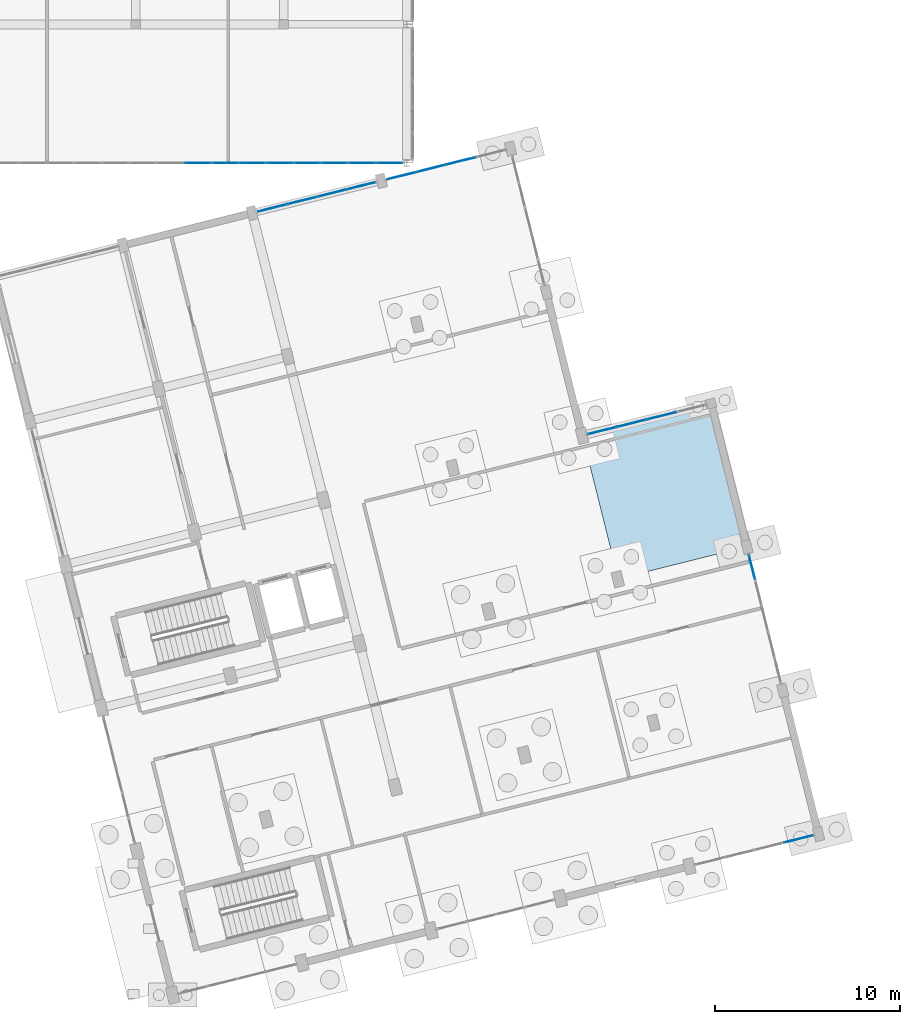
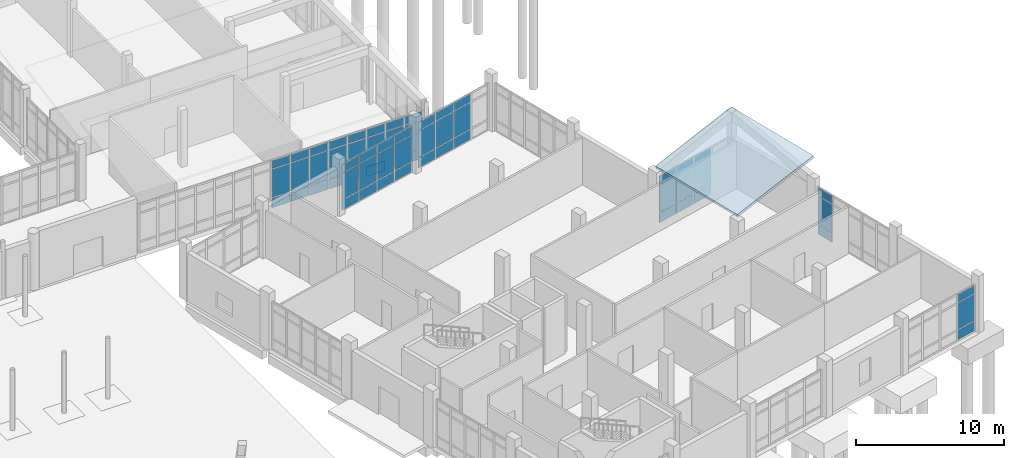
# One storey, part 142 of 173: 60 plates, 1 slab, 6 elements without a shape of their own.
"""IFC4 building model written with IfcOpenShell, lengths in metres."""

from ifc_helpers import new_model, si_unit, direction, frame, origin, origin_2d, place, context, subcontext, project, spatial, polyline, rectangle, outline, extrude, material, layer, layer_set, type_object, element, aggregate, save


model = new_model("IFC4")

# Units and contexts
model_context = context("Model", 3, precision=1e-05, world=origin(), true_north=direction((0.0, 1.0)))
body_context = subcontext(model_context, "Body", "Model", "MODEL_VIEW")
ifc_project = project(units=[si_unit("LENGTHUNIT", "METRE"), si_unit("AREAUNIT", "SQUARE_METRE"), si_unit("VOLUMEUNIT", "CUBIC_METRE"), si_unit("PLANEANGLEUNIT", "RADIAN"), si_unit("MASSUNIT", "GRAM", prefix="KILO")], contexts=[model_context])

# Site, building, storey
site_placement = place(None, origin())
site = spatial("IfcSite", under=ifc_project, at=site_placement, CompositionType="ELEMENT")
building_placement = place(site_placement, origin())
building = spatial("IfcBuilding", under=site, at=building_placement, Name="Mawjan Specialist Oncology Clinic", CompositionType="ELEMENT")
storey_placement = place(building_placement, origin())
storey = spatial("IfcBuildingStorey", under=building, at=storey_placement, Name="L00", CompositionType="ELEMENT", Elevation=0.0)

# Curtain wall, plates
ifc_material_1 = material(Name="Unitised spectrally selective aluminium curtain wall", Category="aluminium")
ifc_layer_1 = layer(ifc_material_1, 0.179931640625, Name="Unitised spectrally selective aluminium curtain wall", Category="aluminium")
ifc_layer_set_1 = layer_set([ifc_layer_1], Name="Unitised spectrally selective aluminium curtain wall")
curtain_wall_type_1 = type_object("IfcCurtainWallType", Name="CW-20", PredefinedType="NOTDEFINED", material=ifc_layer_set_1)
curtain_wall_1_placement = place(storey_placement, origin())
curtain_wall_1 = element("IfcCurtainWall", 1, at=curtain_wall_1_placement, inside=storey, type_object=curtain_wall_type_1, Name="L00 Unitised Curtain Wall CW-L00-036", PredefinedType="NOTDEFINED")
ifc_material_2 = material(Name="Spectrally selective double low-E glazing", Category="glass")
ifc_layer_2 = layer(ifc_material_2, 0.035888671875, Name="Spectrally selective double low-E glazing", Category="glass")
ifc_layer_set_2 = layer_set([ifc_layer_2], Name="Spectrally selective double low-E glazing")
plate_type = type_object("IfcPlateType", Name="CW-P36", PredefinedType="CURTAIN_PANEL", material=ifc_layer_set_2)
plate_1_placement = place(storey_placement, frame((137.7216796875, 45.800048828125, 0.06494140625), z_axis=(0.0, 0.0, 1.0), x_axis=(-1.0, 0.0, 0.0)))
plate_1 = element("IfcPlate", 2, at=plate_1_placement, type_object=plate_type, Name="CW-20 panel 1.1", PredefinedType="CURTAIN_PANEL", context=body_context, shape_type="SweptSolid", body=[
    extrude(rectangle(XDim=1.38671875, YDim=0.035888671875, at=origin_2d()), origin(), (0.0, 0.0, 1.0), 0.802490234375),
])
plate_2_placement = place(storey_placement, frame((137.7216796875, 45.800048828125, 0.932373046875), z_axis=(0.0, 0.0, 1.0), x_axis=(-1.0, 0.0, 0.0)))
plate_2 = element("IfcPlate", 3, at=plate_2_placement, type_object=plate_type, Name="CW-20 panel 1.2", PredefinedType="CURTAIN_PANEL", context=body_context, shape_type="SweptSolid", body=[
    extrude(rectangle(XDim=1.38671875, YDim=0.035888671875, at=origin_2d()), origin(), (0.0, 0.0, 1.0), 2.3046875),
])
plate_3_placement = place(storey_placement, frame((137.7216796875, 45.800048828125, 3.30224609375), z_axis=(0.0, 0.0, 1.0), x_axis=(-1.0, 0.0, 0.0)))
plate_3 = element("IfcPlate", 4, at=plate_3_placement, type_object=plate_type, Name="CW-20 panel 1.3", PredefinedType="CURTAIN_PANEL", context=body_context, shape_type="SweptSolid", body=[
    extrude(rectangle(XDim=1.38671875, YDim=0.035888671875, at=origin_2d()), origin(), (0.0, 0.0, 1.0), 0.652587890625),
])
plate_4_placement = place(storey_placement, frame((136.25341796875, 45.800048828125, 0.06494140625), z_axis=(0.0, 0.0, 1.0), x_axis=(-1.0, 0.0, 0.0)))
plate_4 = element("IfcPlate", 5, at=plate_4_placement, type_object=plate_type, Name="CW-20 panel 2.1", PredefinedType="CURTAIN_PANEL", context=body_context, shape_type="SweptSolid", body=[
    extrude(rectangle(XDim=1.41943359375, YDim=0.035888671875, at=origin_2d()), origin(), (0.0, 0.0, 1.0), 0.802490234375),
])
plate_5_placement = place(storey_placement, frame((136.25341796875, 45.800048828125, 0.932373046875), z_axis=(0.0, 0.0, 1.0), x_axis=(-1.0, 0.0, 0.0)))
plate_5 = element("IfcPlate", 6, at=plate_5_placement, type_object=plate_type, Name="CW-20 panel 2.2", PredefinedType="CURTAIN_PANEL", context=body_context, shape_type="SweptSolid", body=[
    extrude(rectangle(XDim=1.41943359375, YDim=0.035888671875, at=origin_2d()), origin(), (0.0, 0.0, 1.0), 2.3046875),
])
plate_6_placement = place(storey_placement, frame((136.25341796875, 45.800048828125, 3.30224609375), z_axis=(0.0, 0.0, 1.0), x_axis=(-1.0, 0.0, 0.0)))
plate_6 = element("IfcPlate", 7, at=plate_6_placement, type_object=plate_type, Name="CW-20 panel 2.3", PredefinedType="CURTAIN_PANEL", context=body_context, shape_type="SweptSolid", body=[
    extrude(rectangle(XDim=1.41943359375, YDim=0.035888671875, at=origin_2d()), origin(), (0.0, 0.0, 1.0), 0.652587890625),
])
plate_7_placement = place(storey_placement, frame((134.769287109375, 45.800048828125, 0.06494140625), z_axis=(0.0, 0.0, 1.0), x_axis=(-1.0, 0.0, 0.0)))
plate_7 = element("IfcPlate", 8, at=plate_7_placement, type_object=plate_type, Name="CW-20 panel 3.1", PredefinedType="CURTAIN_PANEL", context=body_context, shape_type="SweptSolid", body=[
    extrude(rectangle(XDim=1.41943359375, YDim=0.035888671875, at=origin_2d()), origin(), (0.0, 0.0, 1.0), 0.802490234375),
])
plate_8_placement = place(storey_placement, frame((134.769287109375, 45.800048828125, 0.932373046875), z_axis=(0.0, 0.0, 1.0), x_axis=(-1.0, 0.0, 0.0)))
plate_8 = element("IfcPlate", 9, at=plate_8_placement, type_object=plate_type, Name="CW-20 panel 3.2", PredefinedType="CURTAIN_PANEL", context=body_context, shape_type="SweptSolid", body=[
    extrude(rectangle(XDim=1.41943359375, YDim=0.035888671875, at=origin_2d()), origin(), (0.0, 0.0, 1.0), 2.3046875),
])
plate_9_placement = place(storey_placement, frame((134.769287109375, 45.800048828125, 3.30224609375), z_axis=(0.0, 0.0, 1.0), x_axis=(-1.0, 0.0, 0.0)))
plate_9 = element("IfcPlate", 10, at=plate_9_placement, type_object=plate_type, Name="CW-20 panel 3.3", PredefinedType="CURTAIN_PANEL", context=body_context, shape_type="SweptSolid", body=[
    extrude(rectangle(XDim=1.41943359375, YDim=0.035888671875, at=origin_2d()), origin(), (0.0, 0.0, 1.0), 0.652587890625),
])
plate_10_placement = place(storey_placement, frame((133.284912109375, 45.800048828125, 0.06494140625), z_axis=(0.0, 0.0, 1.0), x_axis=(-1.0, 0.0, 0.0)))
plate_10 = element("IfcPlate", 11, at=plate_10_placement, type_object=plate_type, Name="CW-20 panel 4.1", PredefinedType="CURTAIN_PANEL", context=body_context, shape_type="SweptSolid", body=[
    extrude(rectangle(XDim=1.41943359375, YDim=0.035888671875, at=origin_2d()), origin(), (0.0, 0.0, 1.0), 0.802490234375),
])
plate_11_placement = place(storey_placement, frame((133.284912109375, 45.800048828125, 0.932373046875), z_axis=(0.0, 0.0, 1.0), x_axis=(-1.0, 0.0, 0.0)))
plate_11 = element("IfcPlate", 12, at=plate_11_placement, type_object=plate_type, Name="CW-20 panel 4.2", PredefinedType="CURTAIN_PANEL", context=body_context, shape_type="SweptSolid", body=[
    extrude(rectangle(XDim=1.41943359375, YDim=0.035888671875, at=origin_2d()), origin(), (0.0, 0.0, 1.0), 2.3046875),
])
plate_12_placement = place(storey_placement, frame((133.284912109375, 45.800048828125, 3.30224609375), z_axis=(0.0, 0.0, 1.0), x_axis=(-1.0, 0.0, 0.0)))
plate_12 = element("IfcPlate", 13, at=plate_12_placement, type_object=plate_type, Name="CW-20 panel 4.3", PredefinedType="CURTAIN_PANEL", context=body_context, shape_type="SweptSolid", body=[
    extrude(rectangle(XDim=1.41943359375, YDim=0.035888671875, at=origin_2d()), origin(), (0.0, 0.0, 1.0), 0.652587890625),
])
plate_13_placement = place(storey_placement, frame((131.800537109375, 45.800048828125, 0.06494140625), z_axis=(0.0, 0.0, 1.0), x_axis=(-1.0, 0.0, 0.0)))
plate_13 = element("IfcPlate", 14, at=plate_13_placement, type_object=plate_type, Name="CW-20 panel 5.1", PredefinedType="CURTAIN_PANEL", context=body_context, shape_type="SweptSolid", body=[
    extrude(rectangle(XDim=1.41943359375, YDim=0.035888671875, at=origin_2d()), origin(), (0.0, 0.0, 1.0), 0.802490234375),
])
plate_14_placement = place(storey_placement, frame((131.800537109375, 45.800048828125, 0.932373046875), z_axis=(0.0, 0.0, 1.0), x_axis=(-1.0, 0.0, 0.0)))
plate_14 = element("IfcPlate", 15, at=plate_14_placement, type_object=plate_type, Name="CW-20 panel 5.2", PredefinedType="CURTAIN_PANEL", context=body_context, shape_type="SweptSolid", body=[
    extrude(rectangle(XDim=1.41943359375, YDim=0.035888671875, at=origin_2d()), origin(), (0.0, 0.0, 1.0), 2.3046875),
])
plate_15_placement = place(storey_placement, frame((131.800537109375, 45.800048828125, 3.30224609375), z_axis=(0.0, 0.0, 1.0), x_axis=(-1.0, 0.0, 0.0)))
plate_15 = element("IfcPlate", 16, at=plate_15_placement, type_object=plate_type, Name="CW-20 panel 5.3", PredefinedType="CURTAIN_PANEL", context=body_context, shape_type="SweptSolid", body=[
    extrude(rectangle(XDim=1.41943359375, YDim=0.035888671875, at=origin_2d()), origin(), (0.0, 0.0, 1.0), 0.652587890625),
])
plate_16_placement = place(storey_placement, frame((130.316162109375, 45.800048828125, 0.06494140625), z_axis=(0.0, 0.0, 1.0), x_axis=(-1.0, 0.0, 0.0)))
plate_16 = element("IfcPlate", 17, at=plate_16_placement, type_object=plate_type, Name="CW-20 panel 6.1", PredefinedType="CURTAIN_PANEL", context=body_context, shape_type="SweptSolid", body=[
    extrude(rectangle(XDim=1.41943359375, YDim=0.035888671875, at=origin_2d()), origin(), (0.0, 0.0, 1.0), 0.802490234375),
])
plate_17_placement = place(storey_placement, frame((130.316162109375, 45.800048828125, 0.932373046875), z_axis=(0.0, 0.0, 1.0), x_axis=(-1.0, 0.0, 0.0)))
plate_17 = element("IfcPlate", 18, at=plate_17_placement, type_object=plate_type, Name="CW-20 panel 6.2", PredefinedType="CURTAIN_PANEL", context=body_context, shape_type="SweptSolid", body=[
    extrude(rectangle(XDim=1.41943359375, YDim=0.035888671875, at=origin_2d()), origin(), (0.0, 0.0, 1.0), 2.3046875),
])
plate_18_placement = place(storey_placement, frame((130.316162109375, 45.800048828125, 3.30224609375), z_axis=(0.0, 0.0, 1.0), x_axis=(-1.0, 0.0, 0.0)))
plate_18 = element("IfcPlate", 19, at=plate_18_placement, type_object=plate_type, Name="CW-20 panel 6.3", PredefinedType="CURTAIN_PANEL", context=body_context, shape_type="SweptSolid", body=[
    extrude(rectangle(XDim=1.41943359375, YDim=0.035888671875, at=origin_2d()), origin(), (0.0, 0.0, 1.0), 0.652587890625),
])
plate_19_placement = place(storey_placement, frame((128.831787109375, 45.800048828125, 0.06494140625), z_axis=(0.0, 0.0, 1.0), x_axis=(-1.0, 0.0, 0.0)))
plate_19 = element("IfcPlate", 20, at=plate_19_placement, type_object=plate_type, Name="CW-20 panel 7.1", PredefinedType="CURTAIN_PANEL", context=body_context, shape_type="SweptSolid", body=[
    extrude(rectangle(XDim=1.41943359375, YDim=0.035888671875, at=origin_2d()), origin(), (0.0, 0.0, 1.0), 0.802490234375),
])
plate_20_placement = place(storey_placement, frame((128.831787109375, 45.800048828125, 0.932373046875), z_axis=(0.0, 0.0, 1.0), x_axis=(-1.0, 0.0, 0.0)))
plate_20 = element("IfcPlate", 21, at=plate_20_placement, type_object=plate_type, Name="CW-20 panel 7.2", PredefinedType="CURTAIN_PANEL", context=body_context, shape_type="SweptSolid", body=[
    extrude(rectangle(XDim=1.41943359375, YDim=0.035888671875, at=origin_2d()), origin(), (0.0, 0.0, 1.0), 2.3046875),
])
plate_21_placement = place(storey_placement, frame((128.831787109375, 45.800048828125, 3.30224609375), z_axis=(0.0, 0.0, 1.0), x_axis=(-1.0, 0.0, 0.0)))
plate_21 = element("IfcPlate", 22, at=plate_21_placement, type_object=plate_type, Name="CW-20 panel 7.3", PredefinedType="CURTAIN_PANEL", context=body_context, shape_type="SweptSolid", body=[
    extrude(rectangle(XDim=1.41943359375, YDim=0.035888671875, at=origin_2d()), origin(), (0.0, 0.0, 1.0), 0.652587890625),
])
plate_22_placement = place(storey_placement, frame((127.347412109375, 45.800048828125, 0.06494140625), z_axis=(0.0, 0.0, 1.0), x_axis=(-1.0, 0.0, 0.0)))
plate_22 = element("IfcPlate", 23, at=plate_22_placement, type_object=plate_type, Name="CW-20 panel 8.1", PredefinedType="CURTAIN_PANEL", context=body_context, shape_type="SweptSolid", body=[
    extrude(rectangle(XDim=1.41943359375, YDim=0.035888671875, at=origin_2d()), origin(), (0.0, 0.0, 1.0), 0.802490234375),
])
plate_23_placement = place(storey_placement, frame((127.347412109375, 45.800048828125, 0.932373046875), z_axis=(0.0, 0.0, 1.0), x_axis=(-1.0, 0.0, 0.0)))
plate_23 = element("IfcPlate", 24, at=plate_23_placement, type_object=plate_type, Name="CW-20 panel 8.2", PredefinedType="CURTAIN_PANEL", context=body_context, shape_type="SweptSolid", body=[
    extrude(rectangle(XDim=1.41943359375, YDim=0.035888671875, at=origin_2d()), origin(), (0.0, 0.0, 1.0), 2.3046875),
])
plate_24_placement = place(storey_placement, frame((127.347412109375, 45.800048828125, 3.30224609375), z_axis=(0.0, 0.0, 1.0), x_axis=(-1.0, 0.0, 0.0)))
plate_24 = element("IfcPlate", 25, at=plate_24_placement, type_object=plate_type, Name="CW-20 panel 8.3", PredefinedType="CURTAIN_PANEL", context=body_context, shape_type="SweptSolid", body=[
    extrude(rectangle(XDim=1.41943359375, YDim=0.035888671875, at=origin_2d()), origin(), (0.0, 0.0, 1.0), 0.652587890625),
])
aggregate(curtain_wall_1, [plate_1, plate_2, plate_3, plate_4, plate_5, plate_6, plate_7, plate_8, plate_9, plate_10, plate_11, plate_12, plate_13, plate_14, plate_15, plate_16, plate_17, plate_18, plate_19, plate_20, plate_21, plate_22, plate_23, plate_24])

ifc_material_3 = material(Name="Unitised spectrally selective aluminium curtain wall", Category="aluminium")
ifc_layer_3 = layer(ifc_material_3, 0.179931640625, Name="Unitised spectrally selective aluminium curtain wall", Category="aluminium")
ifc_layer_set_3 = layer_set([ifc_layer_3], Name="Unitised spectrally selective aluminium curtain wall")
curtain_wall_type_2 = type_object("IfcCurtainWallType", Name="CW-34", PredefinedType="NOTDEFINED", material=ifc_layer_set_3)
curtain_wall_2_placement = place(storey_placement, origin())
curtain_wall_2 = element("IfcCurtainWall", 26, at=curtain_wall_2_placement, inside=storey, type_object=curtain_wall_type_2, Name="L00 Unitised Curtain Wall CW-L00-075", PredefinedType="NOTDEFINED")
plate_25_placement = place(storey_placement, frame((157.333740234375, 23.935302734375, 0.06494140625), z_axis=(0.0, 0.0, 1.0), x_axis=(0.241921919004, -0.970295720441, 0.0)))
plate_25 = element("IfcPlate", 27, at=plate_25_placement, type_object=plate_type, Name="CW-34 panel 1.1", PredefinedType="CURTAIN_PANEL", context=body_context, shape_type="SweptSolid", body=[
    extrude(rectangle(XDim=1.344482421875, YDim=0.035888671875, at=origin_2d()), origin(), (0.0, 0.0, 1.0), 0.802490234375),
])
plate_26_placement = place(storey_placement, frame((157.333740234375, 23.935302734375, 0.932373046875), z_axis=(0.0, 0.0, 1.0), x_axis=(0.241921919004, -0.970295720441, 0.0)))
plate_26 = element("IfcPlate", 28, at=plate_26_placement, type_object=plate_type, Name="CW-34 panel 1.2", PredefinedType="CURTAIN_PANEL", context=body_context, shape_type="SweptSolid", body=[
    extrude(rectangle(XDim=1.344482421875, YDim=0.035888671875, at=origin_2d()), origin(), (0.0, 0.0, 1.0), 2.27001953125),
])
plate_27_placement = place(storey_placement, frame((157.333740234375, 23.935302734375, 3.267578125), z_axis=(0.0, 0.0, 1.0), x_axis=(0.241921919004, -0.970295720441, 0.0)))
plate_27 = element("IfcPlate", 29, at=plate_27_placement, type_object=plate_type, Name="CW-34 panel 1.3", PredefinedType="CURTAIN_PANEL", context=body_context, shape_type="SweptSolid", body=[
    extrude(rectangle(XDim=1.344482421875, YDim=0.035888671875, at=origin_2d()), origin(), (0.0, 0.0, 1.0), 0.652587890625),
])
aggregate(curtain_wall_2, [plate_25, plate_26, plate_27])

ifc_material_4 = material(Name="Unitised spectrally selective aluminium curtain wall", Category="aluminium")
ifc_layer_4 = layer(ifc_material_4, 0.179931640625, Name="Unitised spectrally selective aluminium curtain wall", Category="aluminium")
ifc_layer_set_4 = layer_set([ifc_layer_4], Name="Unitised spectrally selective aluminium curtain wall")
curtain_wall_type_3 = type_object("IfcCurtainWallType", Name="CW-35", PredefinedType="NOTDEFINED", material=ifc_layer_set_4)
curtain_wall_3_placement = place(storey_placement, origin())
curtain_wall_3 = element("IfcCurtainWall", 30, at=curtain_wall_3_placement, inside=storey, type_object=curtain_wall_type_3, Name="L00 Unitised Curtain Wall CW-L00-076", PredefinedType="NOTDEFINED")
plate_28_placement = place(storey_placement, frame((159.84814453125, 9.2392578125, 0.06494140625), z_axis=(0.0, 0.0, 1.0), x_axis=(-0.970295681751, -0.241922074178, 0.0)))
plate_28 = element("IfcPlate", 31, at=plate_28_placement, type_object=plate_type, Name="CW-35 panel 1.1", PredefinedType="CURTAIN_PANEL", context=body_context, shape_type="SweptSolid", body=[
    extrude(rectangle(XDim=1.561279296875, YDim=0.035888671875, at=origin_2d()), origin(), (0.0, 0.0, 1.0), 0.802490234375),
])
plate_29_placement = place(storey_placement, frame((159.84814453125, 9.2392578125, 0.9326171875), z_axis=(0.0, 0.0, 1.0), x_axis=(-0.970295681751, -0.241922074178, 0.0)))
plate_29 = element("IfcPlate", 32, at=plate_29_placement, type_object=plate_type, Name="CW-35 panel 1.2", PredefinedType="CURTAIN_PANEL", context=body_context, shape_type="SweptSolid", body=[
    extrude(rectangle(XDim=1.561279296875, YDim=0.035888671875, at=origin_2d()), origin(), (0.0, 0.0, 1.0), 2.169921875),
])
plate_30_placement = place(storey_placement, frame((159.84814453125, 9.2392578125, 3.16748046875), z_axis=(0.0, 0.0, 1.0), x_axis=(-0.970295681751, -0.241922074178, 0.0)))
plate_30 = element("IfcPlate", 33, at=plate_30_placement, type_object=plate_type, Name="CW-35 panel 1.3", PredefinedType="CURTAIN_PANEL", context=body_context, shape_type="SweptSolid", body=[
    extrude(rectangle(XDim=1.561279296875, YDim=0.035888671875, at=origin_2d()), origin(), (0.0, 0.0, 1.0), 0.652587890625),
])
aggregate(curtain_wall_3, [plate_28, plate_29, plate_30])

ifc_material_5 = material(Name="Unitised spectrally selective aluminium curtain wall", Category="aluminium")
ifc_layer_5 = layer(ifc_material_5, 0.179931640625, Name="Unitised spectrally selective aluminium curtain wall", Category="aluminium")
ifc_layer_set_5 = layer_set([ifc_layer_5], Name="Unitised spectrally selective aluminium curtain wall")
curtain_wall_type_4 = type_object("IfcCurtainWallType", Name="CW-40", PredefinedType="NOTDEFINED", material=ifc_layer_set_5)
curtain_wall_4_placement = place(storey_placement, origin())
curtain_wall_4 = element("IfcCurtainWall", 34, at=curtain_wall_4_placement, inside=storey, type_object=curtain_wall_type_4, Name="L00 Unitised Curtain Wall CW-L00-082", PredefinedType="NOTDEFINED")
plate_31_placement = place(storey_placement, frame((131.380859375, 43.3662109375, 0.06494140625), z_axis=(0.0, 0.0, 1.0), x_axis=(0.970295688921, 0.241922045422, 0.0)))
plate_31 = element("IfcPlate", 35, at=plate_31_placement, type_object=plate_type, Name="CW-40 panel 1.1", PredefinedType="CURTAIN_PANEL", context=body_context, shape_type="SweptSolid", body=[
    extrude(rectangle(XDim=1.5673828125, YDim=0.035888671875, at=origin_2d()), origin(), (0.0, 0.0, 1.0), 0.802490234375),
])
plate_32_placement = place(storey_placement, frame((131.380859375, 43.3662109375, 0.9326171875), z_axis=(0.0, 0.0, 1.0), x_axis=(0.970295688921, 0.241922045422, 0.0)))
plate_32 = element("IfcPlate", 36, at=plate_32_placement, type_object=plate_type, Name="CW-40 panel 1.2", PredefinedType="CURTAIN_PANEL", context=body_context, shape_type="SweptSolid", body=[
    extrude(rectangle(XDim=1.5673828125, YDim=0.035888671875, at=origin_2d()), origin(), (0.0, 0.0, 1.0), 2.169921875),
])
plate_33_placement = place(storey_placement, frame((131.380859375, 43.3662109375, 3.16748046875), z_axis=(0.0, 0.0, 1.0), x_axis=(0.970295688921, 0.241922045422, 0.0)))
plate_33 = element("IfcPlate", 37, at=plate_33_placement, type_object=plate_type, Name="CW-40 panel 1.3", PredefinedType="CURTAIN_PANEL", context=body_context, shape_type="SweptSolid", body=[
    extrude(rectangle(XDim=1.5673828125, YDim=0.035888671875, at=origin_2d()), origin(), (0.0, 0.0, 1.0), 0.652587890625),
])
plate_34_placement = place(storey_placement, frame((132.980712890625, 43.76513671875, 0.06494140625), z_axis=(0.0, 0.0, 1.0), x_axis=(0.970295688921, 0.241922045422, 0.0)))
plate_34 = element("IfcPlate", 38, at=plate_34_placement, type_object=plate_type, Name="CW-40 panel 2.1", PredefinedType="CURTAIN_PANEL", context=body_context, shape_type="SweptSolid", body=[
    extrude(rectangle(XDim=1.60009765625, YDim=0.035888671875, at=origin_2d()), origin(), (0.0, 0.0, 1.0), 0.802490234375),
])
plate_35_placement = place(storey_placement, frame((132.980712890625, 43.76513671875, 0.9326171875), z_axis=(0.0, 0.0, 1.0), x_axis=(0.970295688921, 0.241922045422, 0.0)))
plate_35 = element("IfcPlate", 39, at=plate_35_placement, type_object=plate_type, Name="CW-40 panel 2.2", PredefinedType="CURTAIN_PANEL", context=body_context, shape_type="SweptSolid", body=[
    extrude(rectangle(XDim=1.60009765625, YDim=0.035888671875, at=origin_2d()), origin(), (0.0, 0.0, 1.0), 2.169921875),
])
plate_36_placement = place(storey_placement, frame((132.980712890625, 43.76513671875, 3.16748046875), z_axis=(0.0, 0.0, 1.0), x_axis=(0.970295688921, 0.241922045422, 0.0)))
plate_36 = element("IfcPlate", 40, at=plate_36_placement, type_object=plate_type, Name="CW-40 panel 2.3", PredefinedType="CURTAIN_PANEL", context=body_context, shape_type="SweptSolid", body=[
    extrude(rectangle(XDim=1.60009765625, YDim=0.035888671875, at=origin_2d()), origin(), (0.0, 0.0, 1.0), 0.652587890625),
])
plate_37_placement = place(storey_placement, frame((134.59619140625, 44.167724609375, 0.06494140625), z_axis=(0.0, 0.0, 1.0), x_axis=(0.970295688921, 0.241922045422, 0.0)))
plate_37 = element("IfcPlate", 41, at=plate_37_placement, type_object=plate_type, Name="CW-40 panel 3.1", PredefinedType="CURTAIN_PANEL", context=body_context, shape_type="SweptSolid", body=[
    extrude(rectangle(XDim=1.60009765625, YDim=0.035888671875, at=origin_2d()), origin(), (0.0, 0.0, 1.0), 0.802490234375),
])
plate_38_placement = place(storey_placement, frame((134.59619140625, 44.167724609375, 0.9326171875), z_axis=(0.0, 0.0, 1.0), x_axis=(0.970295688921, 0.241922045422, 0.0)))
plate_38 = element("IfcPlate", 42, at=plate_38_placement, type_object=plate_type, Name="CW-40 panel 3.2", PredefinedType="CURTAIN_PANEL", context=body_context, shape_type="SweptSolid", body=[
    extrude(rectangle(XDim=1.60009765625, YDim=0.035888671875, at=origin_2d()), origin(), (0.0, 0.0, 1.0), 2.169921875),
])
plate_39_placement = place(storey_placement, frame((134.59619140625, 44.167724609375, 3.16748046875), z_axis=(0.0, 0.0, 1.0), x_axis=(0.970295688921, 0.241922045422, 0.0)))
plate_39 = element("IfcPlate", 43, at=plate_39_placement, type_object=plate_type, Name="CW-40 panel 3.3", PredefinedType="CURTAIN_PANEL", context=body_context, shape_type="SweptSolid", body=[
    extrude(rectangle(XDim=1.60009765625, YDim=0.035888671875, at=origin_2d()), origin(), (0.0, 0.0, 1.0), 0.652587890625),
])
plate_40_placement = place(storey_placement, frame((136.196044921875, 44.566650390625, 0.06494140625), z_axis=(0.0, 0.0, 1.0), x_axis=(0.970295688921, 0.241922045422, 0.0)))
plate_40 = element("IfcPlate", 44, at=plate_40_placement, type_object=plate_type, Name="CW-40 panel 4.1", PredefinedType="CURTAIN_PANEL", context=body_context, shape_type="SweptSolid", body=[
    extrude(rectangle(XDim=1.5673828125, YDim=0.035888671875, at=origin_2d()), origin(), (0.0, 0.0, 1.0), 0.802490234375),
])
plate_41_placement = place(storey_placement, frame((136.196044921875, 44.566650390625, 0.9326171875), z_axis=(0.0, 0.0, 1.0), x_axis=(0.970295688921, 0.241922045422, 0.0)))
plate_41 = element("IfcPlate", 45, at=plate_41_placement, type_object=plate_type, Name="CW-40 panel 4.2", PredefinedType="CURTAIN_PANEL", context=body_context, shape_type="SweptSolid", body=[
    extrude(rectangle(XDim=1.5673828125, YDim=0.035888671875, at=origin_2d()), origin(), (0.0, 0.0, 1.0), 2.169921875),
])
plate_42_placement = place(storey_placement, frame((136.196044921875, 44.566650390625, 3.16748046875), z_axis=(0.0, 0.0, 1.0), x_axis=(0.970295688921, 0.241922045422, 0.0)))
plate_42 = element("IfcPlate", 46, at=plate_42_placement, type_object=plate_type, Name="CW-40 panel 4.3", PredefinedType="CURTAIN_PANEL", context=body_context, shape_type="SweptSolid", body=[
    extrude(rectangle(XDim=1.5673828125, YDim=0.035888671875, at=origin_2d()), origin(), (0.0, 0.0, 1.0), 0.652587890625),
])
aggregate(curtain_wall_4, [plate_31, plate_32, plate_33, plate_34, plate_35, plate_36, plate_37, plate_38, plate_39, plate_40, plate_41, plate_42])

curtain_wall_5_placement = place(storey_placement, origin())
curtain_wall_5 = element("IfcCurtainWall", 47, at=curtain_wall_5_placement, inside=storey, type_object=curtain_wall_type_4, Name="L00 Unitised Curtain Wall CW-L00-083", PredefinedType="NOTDEFINED")
plate_43_placement = place(storey_placement, frame((138.366943359375, 45.10791015625, 0.06494140625), z_axis=(0.0, 0.0, 1.0), x_axis=(0.970295715378, 0.241921939309, 0.0)))
plate_43 = element("IfcPlate", 48, at=plate_43_placement, type_object=plate_type, Name="CW-40 panel 1.1", PredefinedType="CURTAIN_PANEL", context=body_context, shape_type="SweptSolid", body=[
    extrude(rectangle(XDim=1.5673828125, YDim=0.035888671875, at=origin_2d()), origin(), (0.0, 0.0, 1.0), 0.802490234375),
])
plate_44_placement = place(storey_placement, frame((138.366943359375, 45.10791015625, 0.9326171875), z_axis=(0.0, 0.0, 1.0), x_axis=(0.970295715378, 0.241921939309, 0.0)))
plate_44 = element("IfcPlate", 49, at=plate_44_placement, type_object=plate_type, Name="CW-40 panel 1.2", PredefinedType="CURTAIN_PANEL", context=body_context, shape_type="SweptSolid", body=[
    extrude(rectangle(XDim=1.5673828125, YDim=0.035888671875, at=origin_2d()), origin(), (0.0, 0.0, 1.0), 2.169921875),
])
plate_45_placement = place(storey_placement, frame((138.366943359375, 45.10791015625, 3.16748046875), z_axis=(0.0, 0.0, 1.0), x_axis=(0.970295715378, 0.241921939309, 0.0)))
plate_45 = element("IfcPlate", 50, at=plate_45_placement, type_object=plate_type, Name="CW-40 panel 1.3", PredefinedType="CURTAIN_PANEL", context=body_context, shape_type="SweptSolid", body=[
    extrude(rectangle(XDim=1.5673828125, YDim=0.035888671875, at=origin_2d()), origin(), (0.0, 0.0, 1.0), 0.652587890625),
])
plate_46_placement = place(storey_placement, frame((139.966796875, 45.5068359375, 0.06494140625), z_axis=(0.0, 0.0, 1.0), x_axis=(0.970295715378, 0.241921939309, 0.0)))
plate_46 = element("IfcPlate", 51, at=plate_46_placement, type_object=plate_type, Name="CW-40 panel 2.1", PredefinedType="CURTAIN_PANEL", context=body_context, shape_type="SweptSolid", body=[
    extrude(rectangle(XDim=1.60009765625, YDim=0.035888671875, at=origin_2d()), origin(), (0.0, 0.0, 1.0), 0.802490234375),
])
plate_47_placement = place(storey_placement, frame((139.966796875, 45.5068359375, 0.9326171875), z_axis=(0.0, 0.0, 1.0), x_axis=(0.970295715378, 0.241921939309, 0.0)))
plate_47 = element("IfcPlate", 52, at=plate_47_placement, type_object=plate_type, Name="CW-40 panel 2.2", PredefinedType="CURTAIN_PANEL", context=body_context, shape_type="SweptSolid", body=[
    extrude(rectangle(XDim=1.60009765625, YDim=0.035888671875, at=origin_2d()), origin(), (0.0, 0.0, 1.0), 2.169921875),
])
plate_48_placement = place(storey_placement, frame((139.966796875, 45.5068359375, 3.16748046875), z_axis=(0.0, 0.0, 1.0), x_axis=(0.970295715378, 0.241921939309, 0.0)))
plate_48 = element("IfcPlate", 53, at=plate_48_placement, type_object=plate_type, Name="CW-40 panel 2.3", PredefinedType="CURTAIN_PANEL", context=body_context, shape_type="SweptSolid", body=[
    extrude(rectangle(XDim=1.60009765625, YDim=0.035888671875, at=origin_2d()), origin(), (0.0, 0.0, 1.0), 0.652587890625),
])
plate_49_placement = place(storey_placement, frame((141.582275390625, 45.90966796875, 0.06494140625), z_axis=(0.0, 0.0, 1.0), x_axis=(0.970295715378, 0.241921939309, 0.0)))
plate_49 = element("IfcPlate", 54, at=plate_49_placement, type_object=plate_type, Name="CW-40 panel 3.1", PredefinedType="CURTAIN_PANEL", context=body_context, shape_type="SweptSolid", body=[
    extrude(rectangle(XDim=1.60009765625, YDim=0.035888671875, at=origin_2d()), origin(), (0.0, 0.0, 1.0), 0.802490234375),
])
plate_50_placement = place(storey_placement, frame((141.582275390625, 45.90966796875, 0.9326171875), z_axis=(0.0, 0.0, 1.0), x_axis=(0.970295715378, 0.241921939309, 0.0)))
plate_50 = element("IfcPlate", 55, at=plate_50_placement, type_object=plate_type, Name="CW-40 panel 3.2", PredefinedType="CURTAIN_PANEL", context=body_context, shape_type="SweptSolid", body=[
    extrude(rectangle(XDim=1.60009765625, YDim=0.035888671875, at=origin_2d()), origin(), (0.0, 0.0, 1.0), 2.169921875),
])
plate_51_placement = place(storey_placement, frame((141.582275390625, 45.90966796875, 3.16748046875), z_axis=(0.0, 0.0, 1.0), x_axis=(0.970295715378, 0.241921939309, 0.0)))
plate_51 = element("IfcPlate", 56, at=plate_51_placement, type_object=plate_type, Name="CW-40 panel 3.3", PredefinedType="CURTAIN_PANEL", context=body_context, shape_type="SweptSolid", body=[
    extrude(rectangle(XDim=1.60009765625, YDim=0.035888671875, at=origin_2d()), origin(), (0.0, 0.0, 1.0), 0.652587890625),
])
aggregate(curtain_wall_5, [plate_43, plate_44, plate_45, plate_46, plate_47, plate_48, plate_49, plate_50, plate_51])

ifc_material_6 = material(Name="Unitised spectrally selective aluminium curtain wall", Category="aluminium")
ifc_layer_6 = layer(ifc_material_6, 0.179931640625, Name="Unitised spectrally selective aluminium curtain wall", Category="aluminium")
ifc_layer_set_6 = layer_set([ifc_layer_6], Name="Unitised spectrally selective aluminium curtain wall")
curtain_wall_type_5 = type_object("IfcCurtainWallType", Name="CW-41", PredefinedType="NOTDEFINED", material=ifc_layer_set_6)
curtain_wall_6_placement = place(storey_placement, origin())
curtain_wall_6 = element("IfcCurtainWall", 57, at=curtain_wall_6_placement, inside=storey, type_object=curtain_wall_type_5, Name="L00 Unitised Curtain Wall CW-L00-085", PredefinedType="NOTDEFINED")
plate_52_placement = place(storey_placement, frame((149.2451171875, 31.330322265625, 0.06494140625), z_axis=(0.0, 0.0, 1.0), x_axis=(0.97029571713, 0.241921932281, 0.0)))
plate_52 = element("IfcPlate", 58, at=plate_52_placement, type_object=plate_type, Name="CW-41 panel 1.1", PredefinedType="CURTAIN_PANEL", context=body_context, shape_type="SweptSolid", body=[
    extrude(rectangle(XDim=1.561279296875, YDim=0.035888671875, at=origin_2d()), origin(), (0.0, 0.0, 1.0), 0.802490234375),
])
plate_53_placement = place(storey_placement, frame((149.2451171875, 31.330322265625, 0.932373046875), z_axis=(0.0, 0.0, 1.0), x_axis=(0.97029571713, 0.241921932281, 0.0)))
plate_53 = element("IfcPlate", 59, at=plate_53_placement, type_object=plate_type, Name="CW-41 panel 1.2", PredefinedType="CURTAIN_PANEL", context=body_context, shape_type="SweptSolid", body=[
    extrude(rectangle(XDim=1.561279296875, YDim=0.035888671875, at=origin_2d()), origin(), (0.0, 0.0, 1.0), 2.27001953125),
])
plate_54_placement = place(storey_placement, frame((149.2451171875, 31.330322265625, 3.267578125), z_axis=(0.0, 0.0, 1.0), x_axis=(0.97029571713, 0.241921932281, 0.0)))
plate_54 = element("IfcPlate", 60, at=plate_54_placement, type_object=plate_type, Name="CW-41 panel 1.3", PredefinedType="CURTAIN_PANEL", context=body_context, shape_type="SweptSolid", body=[
    extrude(rectangle(XDim=1.561279296875, YDim=0.035888671875, at=origin_2d()), origin(), (0.0, 0.0, 1.0), 0.652587890625),
])
plate_55_placement = place(storey_placement, frame((150.8388671875, 31.727783203125, 0.06494140625), z_axis=(0.0, 0.0, 1.0), x_axis=(0.97029571713, 0.241921932281, 0.0)))
plate_55 = element("IfcPlate", 61, at=plate_55_placement, type_object=plate_type, Name="CW-41 panel 2.1", PredefinedType="CURTAIN_PANEL", context=body_context, shape_type="SweptSolid", body=[
    extrude(rectangle(XDim=1.59375, YDim=0.035888671875, at=origin_2d()), origin(), (0.0, 0.0, 1.0), 0.802490234375),
])
plate_56_placement = place(storey_placement, frame((150.8388671875, 31.727783203125, 0.932373046875), z_axis=(0.0, 0.0, 1.0), x_axis=(0.97029571713, 0.241921932281, 0.0)))
plate_56 = element("IfcPlate", 62, at=plate_56_placement, type_object=plate_type, Name="CW-41 panel 2.2", PredefinedType="CURTAIN_PANEL", context=body_context, shape_type="SweptSolid", body=[
    extrude(rectangle(XDim=1.59375, YDim=0.035888671875, at=origin_2d()), origin(), (0.0, 0.0, 1.0), 2.27001953125),
])
plate_57_placement = place(storey_placement, frame((150.8388671875, 31.727783203125, 3.267578125), z_axis=(0.0, 0.0, 1.0), x_axis=(0.97029571713, 0.241921932281, 0.0)))
plate_57 = element("IfcPlate", 63, at=plate_57_placement, type_object=plate_type, Name="CW-41 panel 2.3", PredefinedType="CURTAIN_PANEL", context=body_context, shape_type="SweptSolid", body=[
    extrude(rectangle(XDim=1.59375, YDim=0.035888671875, at=origin_2d()), origin(), (0.0, 0.0, 1.0), 0.652587890625),
])
plate_58_placement = place(storey_placement, frame((152.4482421875, 32.129150390625, 0.06494140625), z_axis=(0.0, 0.0, 1.0), x_axis=(0.97029571713, 0.241921932281, 0.0)))
plate_58 = element("IfcPlate", 64, at=plate_58_placement, type_object=plate_type, Name="CW-41 panel 3.1", PredefinedType="CURTAIN_PANEL", context=body_context, shape_type="SweptSolid", body=[
    extrude(rectangle(XDim=1.59375, YDim=0.035888671875, at=origin_2d()), origin(), (0.0, 0.0, 1.0), 0.802490234375),
])
plate_59_placement = place(storey_placement, frame((152.4482421875, 32.129150390625, 0.932373046875), z_axis=(0.0, 0.0, 1.0), x_axis=(0.97029571713, 0.241921932281, 0.0)))
plate_59 = element("IfcPlate", 65, at=plate_59_placement, type_object=plate_type, Name="CW-41 panel 3.2", PredefinedType="CURTAIN_PANEL", context=body_context, shape_type="SweptSolid", body=[
    extrude(rectangle(XDim=1.59375, YDim=0.035888671875, at=origin_2d()), origin(), (0.0, 0.0, 1.0), 2.27001953125),
])
plate_60_placement = place(storey_placement, frame((152.4482421875, 32.129150390625, 3.267578125), z_axis=(0.0, 0.0, 1.0), x_axis=(0.97029571713, 0.241921932281, 0.0)))
plate_60 = element("IfcPlate", 66, at=plate_60_placement, type_object=plate_type, Name="CW-41 panel 3.3", PredefinedType="CURTAIN_PANEL", context=body_context, shape_type="SweptSolid", body=[
    extrude(rectangle(XDim=1.59375, YDim=0.035888671875, at=origin_2d()), origin(), (0.0, 0.0, 1.0), 0.652587890625),
])
aggregate(curtain_wall_6, [plate_52, plate_53, plate_54, plate_55, plate_56, plate_57, plate_58, plate_59, plate_60])

# Slab
ifc_material_7 = material(Name="Concrete C35/45", Category="concrete")
ifc_layer_7 = layer(ifc_material_7, 0.219970703125, Name="Concrete C35/45", Category="concrete")
ifc_layer_set_7 = layer_set([ifc_layer_7], Name="Concrete C35/45")
slab_type = type_object("IfcSlabType", Name="RF-SLP220", PredefinedType="ROOF", material=ifc_layer_set_7)
slab_placement = place(storey_placement, frame((150.08837890625, 23.31640625, 4.929931640625), z_axis=(-0.184434179712, -0.045987151177, 0.981768412244), x_axis=(-0.241937964639, 0.970291719673, -6.90642e-07)))
element("IfcSlab", 67, at=slab_placement, inside=storey, type_object=slab_type, Name="Research Wing L00 East Step-Back Sloped Roof", PredefinedType="ROOF", context=body_context, shape_type="SweptSolid", body=[
    extrude(outline(polyline([(0.0, 0.0), (7.979992019968833, 2.220446049250313e-16), (7.97991386909284, -7.313420412617981), (-0.0003150385028654314, -7.313362422584101), (0.0, 0.0)])), origin(), (0.0, 0.0, -1.0), 0.219970703125),
])

save(model, "model.ifc")
